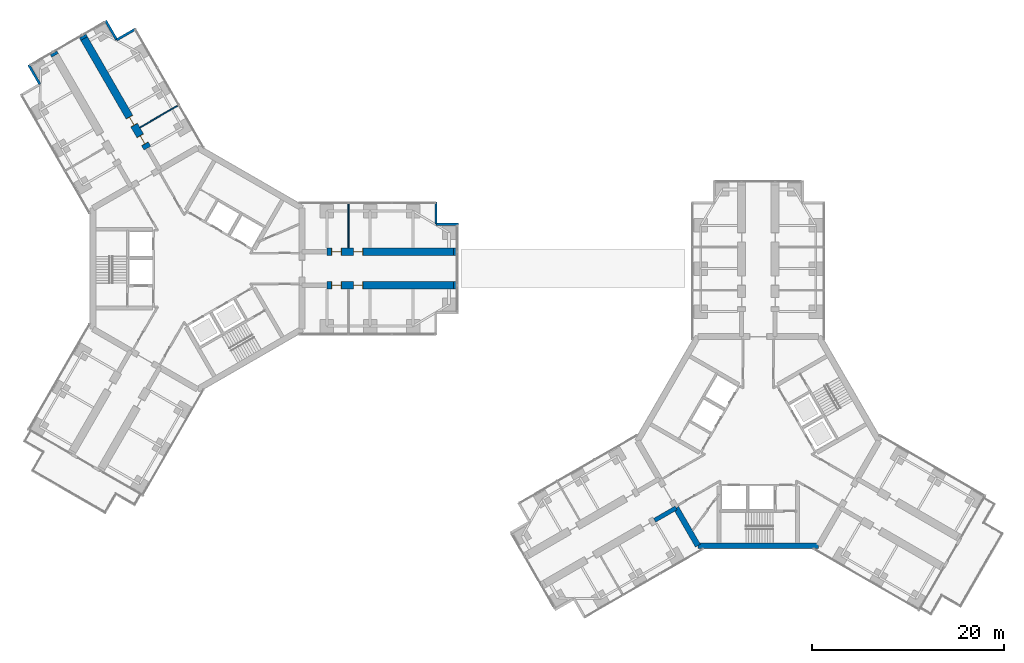
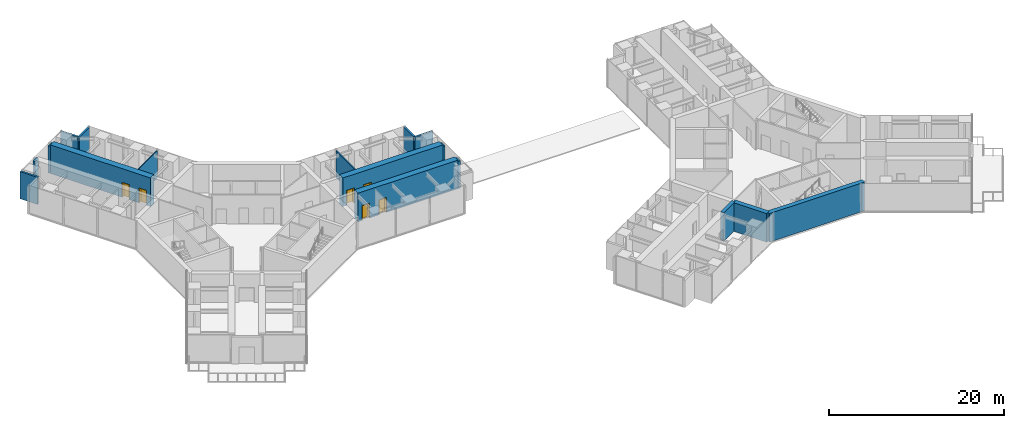
# One storey, part 17 of 22: 17 walls, 6 doors, 6 openings.
"""IFC4 building model written with IfcOpenShell, lengths in metres."""

from ifc_helpers import new_model, si_unit, direction, frame, frame_2d, origin, place, context, subcontext, project, spatial, rectangle, extrude, material, layer, layer_set, type_object, element, fill, save


model = new_model("IFC4")

# Units and contexts
model_context = context("Model", 3, precision=1e-05, world=origin(), true_north=direction((0.0, 1.0)))
body_context = subcontext(model_context, "Body", "Model", "MODEL_VIEW")
ifc_project = project(units=[si_unit("LENGTHUNIT", "METRE"), si_unit("AREAUNIT", "SQUARE_METRE"), si_unit("VOLUMEUNIT", "CUBIC_METRE"), si_unit("PLANEANGLEUNIT", "RADIAN"), si_unit("MASSUNIT", "GRAM", prefix="KILO")], contexts=[model_context])

# Site, building, storey
site_placement = place(None, origin())
site = spatial("IfcSite", under=ifc_project, at=site_placement, CompositionType="ELEMENT")
building_placement = place(site_placement, origin())
building = spatial("IfcBuilding", under=site, at=building_placement, Name="Upepo Twin Towers", CompositionType="ELEMENT")
storey_placement = place(building_placement, frame((0.0, 0.0, 97.5)))
storey = spatial("IfcBuildingStorey", under=building, at=storey_placement, Name="L23", CompositionType="ELEMENT", Elevation=97.5)

# Walls
ifc_material_1 = material(Name="Dense concrete blockwork", Category="masonry")
ifc_layer_1 = layer(ifc_material_1, 0.800048828125)
ifc_layer_set_1 = layer_set([ifc_layer_1], Name="Buttress closer 800, blockwork with fire-stopping to the curtain wall")
wall_type_1 = type_object("IfcWallType", Name="Buttress closer 800, blockwork with fire-stopping to the curtain wall", PredefinedType="PARTITIONING", material=ifc_layer_set_1)
for number, where, z_axis, x_axis, name in (
    (1, (26.699951171875, 1.75, 0.0), (0.0, 0.0, 1.0), (1.0, 0.0, 0.0), "T1 L23 wing A buttress closer L"),
    (2, (26.699951171875, -1.75, 0.0), (0.0, 0.0, 1.0), (1.0, 0.0, 0.0), "T1 L23 wing A buttress closer R"),
    (3, (-14.865478515625, 22.247802734375, 0.0), (0.0, 0.0, 1.0), (-0.500426713919, 0.865778900179, 0.0), "T1 L23 wing B buttress closer L"),
):
    element("IfcWall", number, at=place(storey_placement, frame(where, z_axis=z_axis, x_axis=x_axis)), inside=storey, type_object=wall_type_1, Name=name, PredefinedType="PARTITIONING", context=body_context, shape_type="SweptSolid", body=[
        extrude(rectangle(XDim=0.300048828125, YDim=0.800048828125, at=frame_2d((0.14990234375, 0.0))), origin(), (0.0, 0.0, 1.0), 3.800048828125),
    ])
wall_1_placement = place(storey_placement, frame((-11.83447265625, 23.997802734375, 0.0), z_axis=(0.0, 0.0, 1.0), x_axis=(-0.499816412211, 0.866131372301, 0.0)))
element("IfcWall", 4, at=wall_1_placement, inside=storey, type_object=wall_type_1, Name="T1 L23 wing B buttress closer R", PredefinedType="PARTITIONING", context=body_context, shape_type="SweptSolid", body=[
    extrude(rectangle(XDim=0.2998046875, YDim=0.800048828125, at=frame_2d((0.14990234375, 0.0))), origin(), (0.0, 0.0, 1.0), 3.800048828125),
])
ifc_material_2 = material(Name="Concrete C60/75", Category="concrete")
ifc_layer_2 = layer(ifc_material_2, 0.449951171875)
ifc_layer_set_2 = layer_set([ifc_layer_2], Name="Concrete C60/75")
wall_type_2 = type_object("IfcWallType", Name="Buttress wall 450 RC", PredefinedType="SHEAR", material=ifc_layer_set_2)
wall_2_placement = place(storey_placement, frame((49.92822265625, -24.9697265625, 0.0), z_axis=(0.0, 0.0, 1.0), x_axis=(-0.866031863473, -0.499988811324, 0.0)))
element("IfcWall", 5, at=wall_2_placement, inside=storey, type_object=wall_type_2, Name="T2 wing B buttress wall L", PredefinedType="SHEAR", context=body_context, shape_type="SweptSolid", body=[
    extrude(rectangle(XDim=2.591796875, YDim=0.449951171875, at=frame_2d((1.2958984375, 0.0))), origin(), (0.0, 0.0, 1.0), 4.0),
])

# Wall, openings, doors
ifc_material_3 = material(Name="Concrete C60/75", Category="concrete")
ifc_layer_3 = layer(ifc_material_3, 0.800048828125)
ifc_layer_set_3 = layer_set([ifc_layer_3], Name="Concrete C60/75")
wall_type_3 = type_object("IfcWallType", Name="Buttress wall 800 RC", PredefinedType="SHEAR", material=ifc_layer_set_3)
wall_3_placement = place(storey_placement, frame((13.5, 1.75, 0.0), z_axis=(0.0, 0.0, 1.0), x_axis=(1.0, 0.0, 0.0)))
wall_3 = element("IfcWall", 6, at=wall_3_placement, inside=storey, type_object=wall_type_3, Name="T1 wing A buttress wall L part 2", PredefinedType="SHEAR", context=body_context, shape_type="SweptSolid", body=[
    extrude(rectangle(XDim=13.199951171875, YDim=0.800048828125, at=frame_2d((6.60009765625, 0.0))), origin(), (0.0, 0.0, 1.0), 4.0),
])
opening_1_placement = place(wall_3_placement, frame((0.5, 0.0, 0.0)))
opening_1 = element("IfcOpeningElement", 7, at=opening_1_placement, cuts=wall_3, Name="Opening D15", PredefinedType="OPENING", context=body_context, shape_type="SweptSolid", body=[
    extrude(rectangle(XDim=1.0, YDim=2.10009765625, at=frame_2d((0.5, 1.050048828125))), frame((0.0, 0.409912109375, 0.0), z_axis=(0.0, -1.0, 0.0), x_axis=(1.0, 0.0, 0.0)), (0.0, 0.0, 1.0), 0.820068359375),
])
opening_2_placement = place(wall_3_placement, frame((2.75, 0.0, 0.0)))
opening_2 = element("IfcOpeningElement", 8, at=opening_2_placement, cuts=wall_3, Name="Opening D15", PredefinedType="OPENING", context=body_context, shape_type="SweptSolid", body=[
    extrude(rectangle(XDim=1.0, YDim=2.10009765625, at=frame_2d((0.5, 1.050048828125))), frame((0.0, 0.409912109375, 0.0), z_axis=(0.0, -1.0, 0.0), x_axis=(1.0, 0.0, 0.0)), (0.0, 0.0, 1.0), 0.820068359375),
])
ifc_material_4 = material(Name="Timber doorset", Category="wood")
door_type = type_object("IfcDoorType", Name="Glazed door 1000 FD30", OperationType="SINGLE_SWING_LEFT", PredefinedType="DOOR", material=ifc_material_4)
door_1_placement = place(opening_1_placement, origin())
door_1 = element("IfcDoor", 9, at=door_1_placement, inside=storey, type_object=door_type, Name="T1 L23 faculty office door", OperationType="SINGLE_SWING_LEFT", OverallHeight=2.10009765625, OverallWidth=1.0, PredefinedType="DOOR", context=body_context, shape_type="SweptSolid", body=[
    extrude(rectangle(XDim=0.92, YDim=2.06009765625, at=frame_2d((0.5, 1.030029296875))), frame((0.0, 0.02490234375, 0.0), z_axis=(0.0, -1.0, 0.0), x_axis=(1.0, 0.0, 0.0)), (0.0, 0.0, 1.0), 0.050048828125),
    extrude(rectangle(XDim=0.04, YDim=2.10009765625, at=frame_2d((0.02001953125, 1.050048828125))), frame((0.0, 0.39990234375, 0.0), z_axis=(0.0, -1.0, 0.0), x_axis=(1.0, 0.0, 0.0)), (0.0, 0.0, 1.0), 0.799560546875),
    extrude(rectangle(XDim=0.04, YDim=2.10009765625, at=frame_2d((0.97998046875, 1.050048828125))), frame((0.0, 0.39990234375, 0.0), z_axis=(0.0, -1.0, 0.0), x_axis=(1.0, 0.0, 0.0)), (0.0, 0.0, 1.0), 0.799560546875),
    extrude(rectangle(XDim=0.92, YDim=0.04, at=frame_2d((0.5, 2.080078125))), frame((0.0, 0.39990234375, 0.0), z_axis=(0.0, -1.0, 0.0), x_axis=(1.0, 0.0, 0.0)), (0.0, 0.0, 1.0), 0.799560546875),
])
fill(opening_1, door_1)
door_2_placement = place(opening_2_placement, origin())
door_2 = element("IfcDoor", 10, at=door_2_placement, inside=storey, type_object=door_type, Name="T1 L23 sky lounge door", OperationType="SINGLE_SWING_LEFT", OverallHeight=2.10009765625, OverallWidth=1.0, PredefinedType="DOOR", context=body_context, shape_type="SweptSolid", body=[
    extrude(rectangle(XDim=0.92, YDim=2.06009765625, at=frame_2d((0.5, 1.030029296875))), frame((0.0, 0.02490234375, 0.0), z_axis=(0.0, -1.0, 0.0), x_axis=(1.0, 0.0, 0.0)), (0.0, 0.0, 1.0), 0.050048828125),
    extrude(rectangle(XDim=0.04, YDim=2.10009765625, at=frame_2d((0.02001953125, 1.050048828125))), frame((0.0, 0.39990234375, 0.0), z_axis=(0.0, -1.0, 0.0), x_axis=(1.0, 0.0, 0.0)), (0.0, 0.0, 1.0), 0.799560546875),
    extrude(rectangle(XDim=0.04, YDim=2.10009765625, at=frame_2d((0.97998046875, 1.050048828125))), frame((0.0, 0.39990234375, 0.0), z_axis=(0.0, -1.0, 0.0), x_axis=(1.0, 0.0, 0.0)), (0.0, 0.0, 1.0), 0.799560546875),
    extrude(rectangle(XDim=0.92, YDim=0.04, at=frame_2d((0.5, 2.080078125))), frame((0.0, 0.39990234375, 0.0), z_axis=(0.0, -1.0, 0.0), x_axis=(1.0, 0.0, 0.0)), (0.0, 0.0, 1.0), 0.799560546875),
])
fill(opening_2, door_2)

wall_4_placement = place(storey_placement, frame((13.5, -1.75, 0.0), z_axis=(0.0, 0.0, 1.0), x_axis=(1.0, 0.0, 0.0)))
wall_4 = element("IfcWall", 11, at=wall_4_placement, inside=storey, type_object=wall_type_3, Name="T1 wing A buttress wall R part 2", PredefinedType="SHEAR", context=body_context, shape_type="SweptSolid", body=[
    extrude(rectangle(XDim=13.199951171875, YDim=0.800048828125, at=frame_2d((6.60009765625, 0.0))), origin(), (0.0, 0.0, 1.0), 4.0),
])
opening_3_placement = place(wall_4_placement, frame((0.5, 0.0, 0.0)))
opening_3 = element("IfcOpeningElement", 12, at=opening_3_placement, cuts=wall_4, Name="Opening D15", PredefinedType="OPENING", context=body_context, shape_type="SweptSolid", body=[
    extrude(rectangle(XDim=1.0, YDim=2.10009765625, at=frame_2d((0.5, 1.050048828125))), frame((0.0, 0.409912109375, 0.0), z_axis=(0.0, -1.0, 0.0), x_axis=(1.0, 0.0, 0.0)), (0.0, 0.0, 1.0), 0.820068359375),
])
opening_4_placement = place(wall_4_placement, frame((2.75, 0.0, 0.0)))
opening_4 = element("IfcOpeningElement", 13, at=opening_4_placement, cuts=wall_4, Name="Opening D15", PredefinedType="OPENING", context=body_context, shape_type="SweptSolid", body=[
    extrude(rectangle(XDim=1.0, YDim=2.10009765625, at=frame_2d((0.5, 1.050048828125))), frame((0.0, 0.409912109375, 0.0), z_axis=(0.0, -1.0, 0.0), x_axis=(1.0, 0.0, 0.0)), (0.0, 0.0, 1.0), 0.820068359375),
])
door_3_placement = place(opening_3_placement, origin())
door_3 = element("IfcDoor", 14, at=door_3_placement, inside=storey, type_object=door_type, Name="T1 L23 faculty office door", OperationType="SINGLE_SWING_LEFT", OverallHeight=2.10009765625, OverallWidth=1.0, PredefinedType="DOOR", context=body_context, shape_type="SweptSolid", body=[
    extrude(rectangle(XDim=0.92, YDim=2.06009765625, at=frame_2d((0.5, 1.030029296875))), frame((0.0, 0.02490234375, 0.0), z_axis=(0.0, -1.0, 0.0), x_axis=(1.0, 0.0, 0.0)), (0.0, 0.0, 1.0), 0.050048828125),
    extrude(rectangle(XDim=0.04, YDim=2.10009765625, at=frame_2d((0.02001953125, 1.050048828125))), frame((0.0, 0.39990234375, 0.0), z_axis=(0.0, -1.0, 0.0), x_axis=(1.0, 0.0, 0.0)), (0.0, 0.0, 1.0), 0.799560546875),
    extrude(rectangle(XDim=0.04, YDim=2.10009765625, at=frame_2d((0.97998046875, 1.050048828125))), frame((0.0, 0.39990234375, 0.0), z_axis=(0.0, -1.0, 0.0), x_axis=(1.0, 0.0, 0.0)), (0.0, 0.0, 1.0), 0.799560546875),
    extrude(rectangle(XDim=0.92, YDim=0.04, at=frame_2d((0.5, 2.080078125))), frame((0.0, 0.39990234375, 0.0), z_axis=(0.0, -1.0, 0.0), x_axis=(1.0, 0.0, 0.0)), (0.0, 0.0, 1.0), 0.799560546875),
])
fill(opening_3, door_3)
door_4_placement = place(opening_4_placement, origin())
door_4 = element("IfcDoor", 15, at=door_4_placement, inside=storey, type_object=door_type, Name="T1 L23 postgraduate research office door", OperationType="SINGLE_SWING_LEFT", OverallHeight=2.10009765625, OverallWidth=1.0, PredefinedType="DOOR", context=body_context, shape_type="SweptSolid", body=[
    extrude(rectangle(XDim=0.92, YDim=2.06009765625, at=frame_2d((0.5, 1.030029296875))), frame((0.0, 0.02490234375, 0.0), z_axis=(0.0, -1.0, 0.0), x_axis=(1.0, 0.0, 0.0)), (0.0, 0.0, 1.0), 0.050048828125),
    extrude(rectangle(XDim=0.04, YDim=2.10009765625, at=frame_2d((0.02001953125, 1.050048828125))), frame((0.0, 0.39990234375, 0.0), z_axis=(0.0, -1.0, 0.0), x_axis=(1.0, 0.0, 0.0)), (0.0, 0.0, 1.0), 0.799560546875),
    extrude(rectangle(XDim=0.04, YDim=2.10009765625, at=frame_2d((0.97998046875, 1.050048828125))), frame((0.0, 0.39990234375, 0.0), z_axis=(0.0, -1.0, 0.0), x_axis=(1.0, 0.0, 0.0)), (0.0, 0.0, 1.0), 0.799560546875),
    extrude(rectangle(XDim=0.92, YDim=0.04, at=frame_2d((0.5, 2.080078125))), frame((0.0, 0.39990234375, 0.0), z_axis=(0.0, -1.0, 0.0), x_axis=(1.0, 0.0, 0.0)), (0.0, 0.0, 1.0), 0.799560546875),
])
fill(opening_4, door_4)

wall_5_placement = place(storey_placement, frame((-5.234375, 12.56640625, 0.0), z_axis=(0.0, 0.0, 1.0), x_axis=(-0.500010103361, 0.866019570528, 0.0)))
wall_5 = element("IfcWall", 16, at=wall_5_placement, inside=storey, type_object=wall_type_3, Name="T1 wing B buttress wall R part 2", PredefinedType="SHEAR", context=body_context, shape_type="SweptSolid", body=[
    extrude(rectangle(XDim=13.199951171875, YDim=0.800048828125, at=frame_2d((6.60009765625, 0.0))), origin(), (0.0, 0.0, 1.0), 4.0),
])
opening_5_placement = place(wall_5_placement, frame((0.5, 0.0, 0.0)))
opening_5 = element("IfcOpeningElement", 17, at=opening_5_placement, cuts=wall_5, Name="Opening D15", PredefinedType="OPENING", context=body_context, shape_type="SweptSolid", body=[
    extrude(rectangle(XDim=1.0, YDim=2.10009765625, at=frame_2d((0.5, 1.050048828125))), frame((0.0, 0.409912109375, 0.0), z_axis=(0.0, -1.0, 0.0), x_axis=(1.0, 0.0, 0.0)), (0.0, 0.0, 1.0), 0.820068359375),
])
opening_6_placement = place(wall_5_placement, frame((2.75, 0.0, 0.0)))
opening_6 = element("IfcOpeningElement", 18, at=opening_6_placement, cuts=wall_5, Name="Opening D15", PredefinedType="OPENING", context=body_context, shape_type="SweptSolid", body=[
    extrude(rectangle(XDim=1.0, YDim=2.10009765625, at=frame_2d((0.5, 1.050048828125))), frame((0.0, 0.409912109375, 0.0), z_axis=(0.0, -1.0, 0.0), x_axis=(1.0, 0.0, 0.0)), (0.0, 0.0, 1.0), 0.820068359375),
])
door_5_placement = place(opening_5_placement, origin())
door_5 = element("IfcDoor", 19, at=door_5_placement, inside=storey, type_object=door_type, Name="T1 L23 faculty office door", OperationType="SINGLE_SWING_LEFT", OverallHeight=2.10009765625, OverallWidth=1.0, PredefinedType="DOOR", context=body_context, shape_type="SweptSolid", body=[
    extrude(rectangle(XDim=0.92, YDim=2.06009765625, at=frame_2d((0.5, 1.030029296875))), frame((0.0, 0.02490234375, 0.0), z_axis=(0.0, -1.0, 0.0), x_axis=(1.0, 0.0, 0.0)), (0.0, 0.0, 1.0), 0.050048828125),
    extrude(rectangle(XDim=0.04, YDim=2.10009765625, at=frame_2d((0.02001953125, 1.050048828125))), frame((0.0, 0.39990234375, 0.0), z_axis=(0.0, -1.0, 0.0), x_axis=(1.0, 0.0, 0.0)), (0.0, 0.0, 1.0), 0.799560546875),
    extrude(rectangle(XDim=0.04, YDim=2.10009765625, at=frame_2d((0.97998046875, 1.050048828125))), frame((0.0, 0.39990234375, 0.0), z_axis=(0.0, -1.0, 0.0), x_axis=(1.0, 0.0, 0.0)), (0.0, 0.0, 1.0), 0.799560546875),
    extrude(rectangle(XDim=0.92, YDim=0.04, at=frame_2d((0.5, 2.080078125))), frame((0.0, 0.39990234375, 0.0), z_axis=(0.0, -1.0, 0.0), x_axis=(1.0, 0.0, 0.0)), (0.0, 0.0, 1.0), 0.799560546875),
])
fill(opening_5, door_5)
door_6_placement = place(opening_6_placement, origin())
door_6 = element("IfcDoor", 20, at=door_6_placement, inside=storey, type_object=door_type, Name="T1 L23 postgraduate research office door", OperationType="SINGLE_SWING_LEFT", OverallHeight=2.10009765625, OverallWidth=1.0, PredefinedType="DOOR", context=body_context, shape_type="SweptSolid", body=[
    extrude(rectangle(XDim=0.92, YDim=2.06009765625, at=frame_2d((0.5, 1.030029296875))), frame((0.0, 0.02490234375, 0.0), z_axis=(0.0, -1.0, 0.0), x_axis=(1.0, 0.0, 0.0)), (0.0, 0.0, 1.0), 0.050048828125),
    extrude(rectangle(XDim=0.04, YDim=2.10009765625, at=frame_2d((0.02001953125, 1.050048828125))), frame((0.0, 0.39990234375, 0.0), z_axis=(0.0, -1.0, 0.0), x_axis=(1.0, 0.0, 0.0)), (0.0, 0.0, 1.0), 0.799560546875),
    extrude(rectangle(XDim=0.04, YDim=2.10009765625, at=frame_2d((0.97998046875, 1.050048828125))), frame((0.0, 0.39990234375, 0.0), z_axis=(0.0, -1.0, 0.0), x_axis=(1.0, 0.0, 0.0)), (0.0, 0.0, 1.0), 0.799560546875),
    extrude(rectangle(XDim=0.92, YDim=0.04, at=frame_2d((0.5, 2.080078125))), frame((0.0, 0.39990234375, 0.0), z_axis=(0.0, -1.0, 0.0), x_axis=(1.0, 0.0, 0.0)), (0.0, 0.0, 1.0), 0.799560546875),
])
fill(opening_6, door_6)

# Walls
ifc_material_5 = material(Name="Concrete C60/75", Category="concrete")
ifc_layer_4 = layer(ifc_material_5, 0.60009765625)
ifc_layer_set_4 = layer_set([ifc_layer_4], Name="Concrete C60/75")
wall_type_4 = type_object("IfcWallType", Name="Core wall 600 RC", PredefinedType="SHEAR", material=ifc_layer_set_4)
wall_6_placement = place(storey_placement, frame((49.92822265625, -24.9697265625, 0.0), z_axis=(0.0, 0.0, 1.0), x_axis=(0.499984222037, -0.866034513004, 0.0)))
element("IfcWall", 21, at=wall_6_placement, inside=storey, type_object=wall_type_4, Name="T2 core wall 120 L", PredefinedType="SHEAR", context=body_context, shape_type="SweptSolid", body=[
    extrude(rectangle(XDim=4.548095703125, YDim=0.60009765625, at=frame_2d((2.27392578125, 0.0))), origin(), (0.0, 0.0, 1.0), 4.0),
])
wall_7_placement = place(storey_placement, frame((52.2021484375, -28.908447265625, 0.0), z_axis=(0.0, 0.0, 1.0), x_axis=(1.0, 0.0, 0.0)))
element("IfcWall", 22, at=wall_7_placement, inside=storey, type_object=wall_type_4, Name="T2 core wall 180", PredefinedType="SHEAR", context=body_context, shape_type="SweptSolid", body=[
    extrude(rectangle(XDim=12.595703125, YDim=0.60009765625, at=frame_2d((6.2978515625, 0.0))), origin(), (0.0, 0.0, 1.0), 4.0),
])
ifc_material_6 = material(Name="Laminated glass in an aluminium frame", Category="aluminium")
ifc_layer_5 = layer(ifc_material_6, 0.1201171875)
ifc_layer_set_5 = layer_set([ifc_layer_5], Name="Glazed partition 120, aluminium framed")
wall_type_5 = type_object("IfcWallType", Name="Glazed partition 120, aluminium framed", PredefinedType="PARTITIONING", material=ifc_layer_set_5)
wall_8_placement = place(storey_placement, frame((15.75, 2.14990234375, 0.0), z_axis=(0.0, 0.0, 1.0), x_axis=(0.0, 1.0, 0.0)))
element("IfcWall", 23, at=wall_8_placement, inside=storey, type_object=wall_type_5, Name="T1 partition AL at 15.75", PredefinedType="PARTITIONING", context=body_context, shape_type="SweptSolid", body=[
    extrude(rectangle(XDim=4.60009765625, YDim=0.1201171875, at=frame_2d((2.300048828125, 0.0))), origin(), (0.0, 0.0, 1.0), 3.800048828125),
])
wall_9_placement = place(storey_placement, frame((-6.012939453125, 14.71484375, 0.0), z_axis=(0.0, 0.0, 1.0), x_axis=(0.866016770315, 0.500014953309, 0.0)))
element("IfcWall", 24, at=wall_9_placement, inside=storey, type_object=wall_type_5, Name="T1 partition BR at 15.75", PredefinedType="PARTITIONING", context=body_context, shape_type="SweptSolid", body=[
    extrude(rectangle(XDim=4.599853515625, YDim=0.1201171875, at=frame_2d((2.2998046875, 0.0))), origin(), (0.0, 0.0, 1.0), 3.800048828125),
])
ifc_material_7 = material(Name="Blockwork with anodised aluminium cladding", Category="masonry")
ifc_layer_6 = layer(ifc_material_7, 0.25)
ifc_layer_set_6 = layer_set([ifc_layer_6], Name="Notch cladding wall 250, pale metal")
wall_type_6 = type_object("IfcWallType", Name="Notch cladding wall 250, pale metal", PredefinedType="STANDARD", material=ifc_layer_set_6)
for number, where, z_axis, x_axis, name in (
    (25, (24.875, 6.949951171875, 0.0), (0.0, 0.0, 1.0), (0.0, -1.0, 0.0), "T1 L23 wing A notch wall L1"),
    (26, (24.875, 4.625, 0.0), (0.0, 0.0, 1.0), (1.0, 0.0, 0.0), "T1 L23 wing A notch wall L2"),
    (27, (-16.44287109375, 19.22998046875, 0.0), (0.0, 0.0, 1.0), (-0.500046648681, 0.865998469481, 0.0), "T1 L23 wing B notch wall L2"),
    (28, (-6.418701171875, 25.017333984375, 0.0), (0.0, 0.0, 1.0), (-0.866043940782, -0.499967891604, 0.0), "T1 L23 wing B notch wall R1"),
    (29, (-8.43212890625, 23.85498046875, 0.0), (0.0, 0.0, 1.0), (-0.500046648681, 0.865998469481, 0.0), "T1 L23 wing B notch wall R2"),
):
    element("IfcWall", number, at=place(storey_placement, frame(where, z_axis=z_axis, x_axis=x_axis)), inside=storey, type_object=wall_type_6, Name=name, PredefinedType="STANDARD", context=body_context, shape_type="SweptSolid", body=[
        extrude(rectangle(XDim=2.324951171875, YDim=0.25, at=frame_2d((1.16259765625, 0.0))), origin(), (0.0, 0.0, 1.0), 3.800048828125),
    ])

save(model, "model.ifc")
